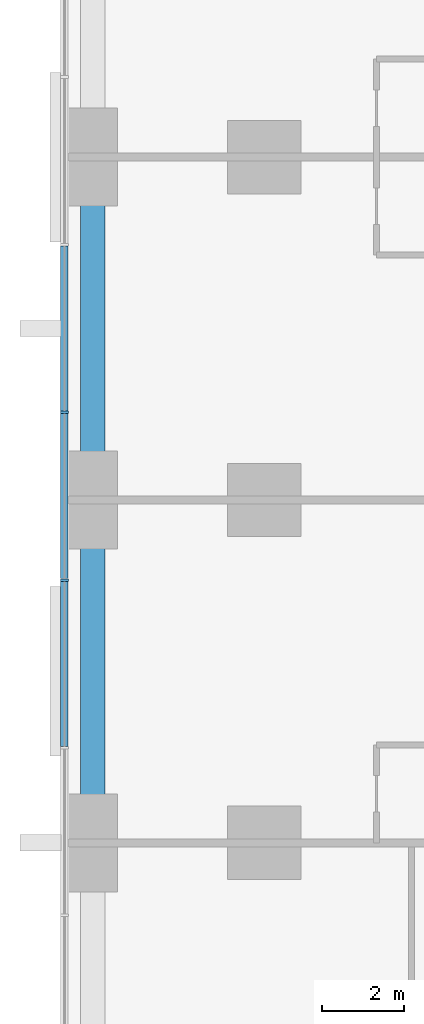
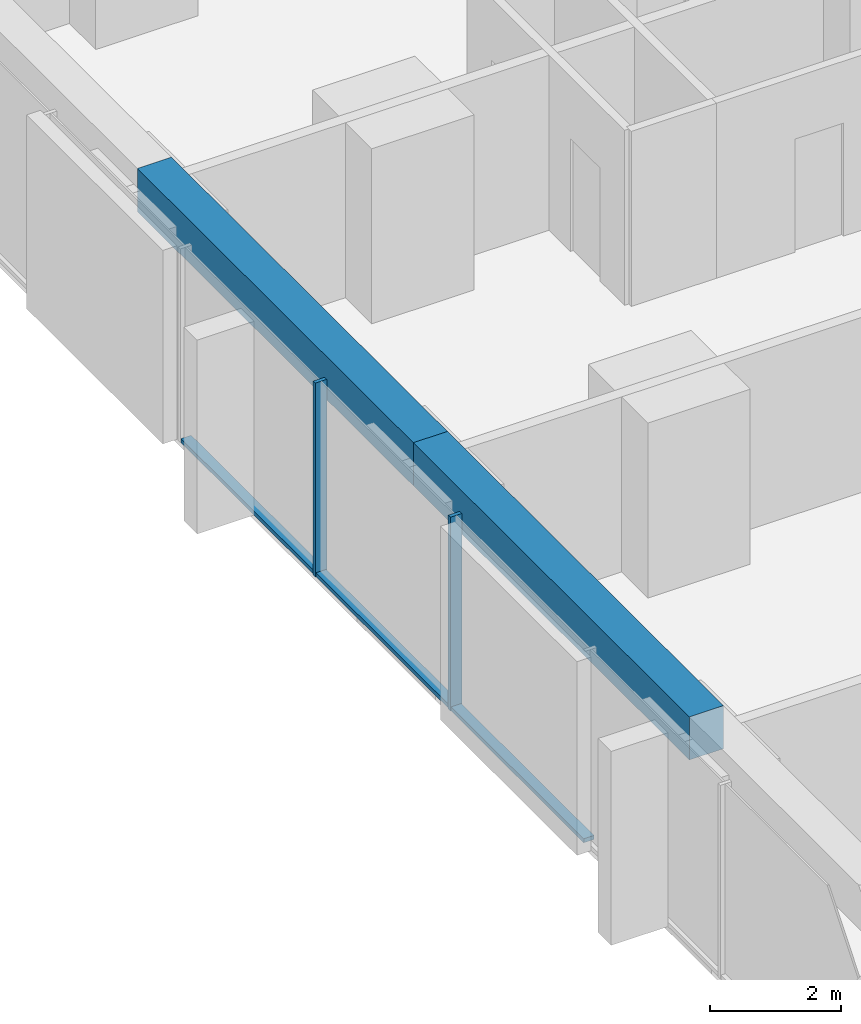
# One storey, part 3 of 17: 5 members, 2 beams, 1 element without a shape of its own.
"""IFC4 building model written with IfcOpenShell, lengths in metres."""

from ifc_helpers import new_model, si_unit, direction, frame, origin, origin_2d, place, context, subcontext, project, spatial, rectangle, extrude, material, material_profile, profile_set, type_object, element, aggregate, save


model = new_model("IFC4")

# Units and contexts
model_context = context("Model", 3, precision=1e-05, world=origin(), true_north=direction((0.0, 1.0)))
body_context = subcontext(model_context, "Body", "Model", "MODEL_VIEW")
ifc_project = project(units=[si_unit("LENGTHUNIT", "METRE"), si_unit("AREAUNIT", "SQUARE_METRE"), si_unit("VOLUMEUNIT", "CUBIC_METRE"), si_unit("PLANEANGLEUNIT", "RADIAN"), si_unit("MASSUNIT", "GRAM", prefix="KILO")], contexts=[model_context])

# Site, building, storey
site_placement = place(None, origin())
site = spatial("IfcSite", under=ifc_project, at=site_placement, CompositionType="ELEMENT")
building_placement = place(site_placement, origin())
building = spatial("IfcBuilding", under=site, at=building_placement, Name="Dunama Terrace Hotel", CompositionType="ELEMENT")
storey_placement = place(building_placement, frame((0.0, 0.0, 77.39990234375)))
storey = spatial("IfcBuildingStorey", under=building, at=storey_placement, Name="L19", CompositionType="ELEMENT", Elevation=77.39990234375)

# Curtain wall, members
ifc_material_1 = material(Name="Aluminium curtain wall system", Category="aluminium")
curtain_wall_type = type_object("IfcCurtainWallType", Name="Unitised fritted glass wall CW-A", PredefinedType="NOTDEFINED", material=ifc_material_1)
curtain_wall_placement = place(storey_placement, origin())
curtain_wall = element("IfcCurtainWall", 1, at=curtain_wall_placement, inside=storey, type_object=curtain_wall_type, Name="Unitised fritted glass wall CW-A L19", PredefinedType="NOTDEFINED")
ifc_material_2 = material(Name="Aluminium mullion", Category="aluminium")
ifc_material_profile_1 = material_profile(ifc_material_2, rectangle(XDim=0.06494140625, YDim=0.199951171875, at=origin_2d()), Name="CWA MULLION 65X200")
ifc_profile_set_1 = profile_set([ifc_material_profile_1], Name="Aluminium mullion")
member_type_1 = type_object("IfcMemberType", Name="CWA mullion 65x200", PredefinedType="MULLION", material=ifc_profile_set_1)
member_1_placement = place(storey_placement, frame((-0.10009765625, 27.345947265625, 0.0), z_axis=(0.0, 0.0, 1.0), x_axis=(0.0, -1.0, 0.0)))
member_1 = element("IfcMember", 2, at=member_1_placement, type_object=member_type_1, Name="CWA mullion", PredefinedType="MULLION", context=body_context, shape_type="SweptSolid", body=[
    extrude(rectangle(XDim=0.06494140625, YDim=0.199951171875, at=origin_2d()), origin(), (0.0, 0.0, 1.0), 3.60009765625),
])
member_2_placement = place(storey_placement, frame((-0.10009765625, 23.238037109375, 0.0), z_axis=(0.0, 0.0, 1.0), x_axis=(0.0, -1.0, 0.0)))
member_2 = element("IfcMember", 3, at=member_2_placement, type_object=member_type_1, Name="CWA mullion", PredefinedType="MULLION", context=body_context, shape_type="SweptSolid", body=[
    extrude(rectangle(XDim=0.06494140625, YDim=0.199951171875, at=origin_2d()), origin(), (0.0, 0.0, 1.0), 3.60009765625),
])
ifc_material_3 = material(Name="Aluminium transom", Category="aluminium")
ifc_material_profile_2 = material_profile(ifc_material_3, rectangle(XDim=0.179931640625, YDim=0.074951171875, at=origin_2d()), Name="CWA TRANSOM 180X75")
ifc_profile_set_2 = profile_set([ifc_material_profile_2], Name="Aluminium transom")
member_type_2 = type_object("IfcMemberType", Name="CWA transom 180x75", PredefinedType="USERDEFINED", material=ifc_profile_set_2)
member_3_placement = place(storey_placement, frame((-0.10009765625, 31.4208984375, 0.03759765625), z_axis=(0.0, -1.0, 0.0), x_axis=(1.0, 0.0, 0.0)))
member_3 = element("IfcMember", 4, at=member_3_placement, type_object=member_type_2, Name="CWA transom", ObjectType="TRANSOM", PredefinedType="USERDEFINED", context=body_context, shape_type="SweptSolid", body=[
    extrude(rectangle(XDim=0.179931640625, YDim=0.074951171875, at=origin_2d()), origin(), (0.0, 0.0, 1.0), 4.0419921875),
])
member_4_placement = place(storey_placement, frame((-0.10009765625, 27.31396484375, 0.03759765625), z_axis=(0.0, -1.0, 0.0), x_axis=(1.0, 0.0, 0.0)))
member_4 = element("IfcMember", 5, at=member_4_placement, type_object=member_type_2, Name="CWA transom", ObjectType="TRANSOM", PredefinedType="USERDEFINED", context=body_context, shape_type="SweptSolid", body=[
    extrude(rectangle(XDim=0.179931640625, YDim=0.074951171875, at=origin_2d()), origin(), (0.0, 0.0, 1.0), 4.04296875),
])
member_5_placement = place(storey_placement, frame((-0.10009765625, 23.2060546875, 0.03759765625), z_axis=(0.0, -1.0, 0.0), x_axis=(1.0, 0.0, 0.0)))
member_5 = element("IfcMember", 6, at=member_5_placement, type_object=member_type_2, Name="CWA transom", ObjectType="TRANSOM", PredefinedType="USERDEFINED", context=body_context, shape_type="SweptSolid", body=[
    extrude(rectangle(XDim=0.179931640625, YDim=0.074951171875, at=origin_2d()), origin(), (0.0, 0.0, 1.0), 4.04296875),
])
aggregate(curtain_wall, [member_1, member_2, member_3, member_4, member_5])

# Beams
ifc_material_4 = material(Name="Concrete C40/50", Category="concrete")
ifc_material_profile_3 = material_profile(ifc_material_4, rectangle(XDim=0.60009765625, YDim=0.800048828125, at=origin_2d()), Name="RC 600x800")
ifc_profile_set_3 = profile_set([ifc_material_profile_3], Name="Concrete C40/50")
beam_type = type_object("IfcBeamType", Name="Edge beam RC 600x800", PredefinedType="SPANDREL", material=ifc_profile_set_3)
beam_1_placement = place(storey_placement, frame((0.60009765625, 16.800048828125, 3.2001953125), z_axis=(0.0, 1.0, 0.0), x_axis=(-1.0, 0.0, 0.0)))
element("IfcBeam", 7, at=beam_1_placement, inside=storey, type_object=beam_type, Name="Edge beam under L20", PredefinedType="SPANDREL", context=body_context, shape_type="SweptSolid", body=[
    extrude(rectangle(XDim=0.60009765625, YDim=0.800048828125, at=origin_2d()), origin(), (0.0, 0.0, 1.0), 8.39990234375),
])
beam_2_placement = place(storey_placement, frame((0.60009765625, 25.199951171875, 3.2001953125), z_axis=(0.0, 1.0, 0.0), x_axis=(-1.0, 0.0, 0.0)))
element("IfcBeam", 8, at=beam_2_placement, inside=storey, type_object=beam_type, Name="Edge beam under L20", PredefinedType="SPANDREL", context=body_context, shape_type="SweptSolid", body=[
    extrude(rectangle(XDim=0.60009765625, YDim=0.800048828125, at=origin_2d()), origin(), (0.0, 0.0, 1.0), 8.400146484375),
])

save(model, "model.ifc")
